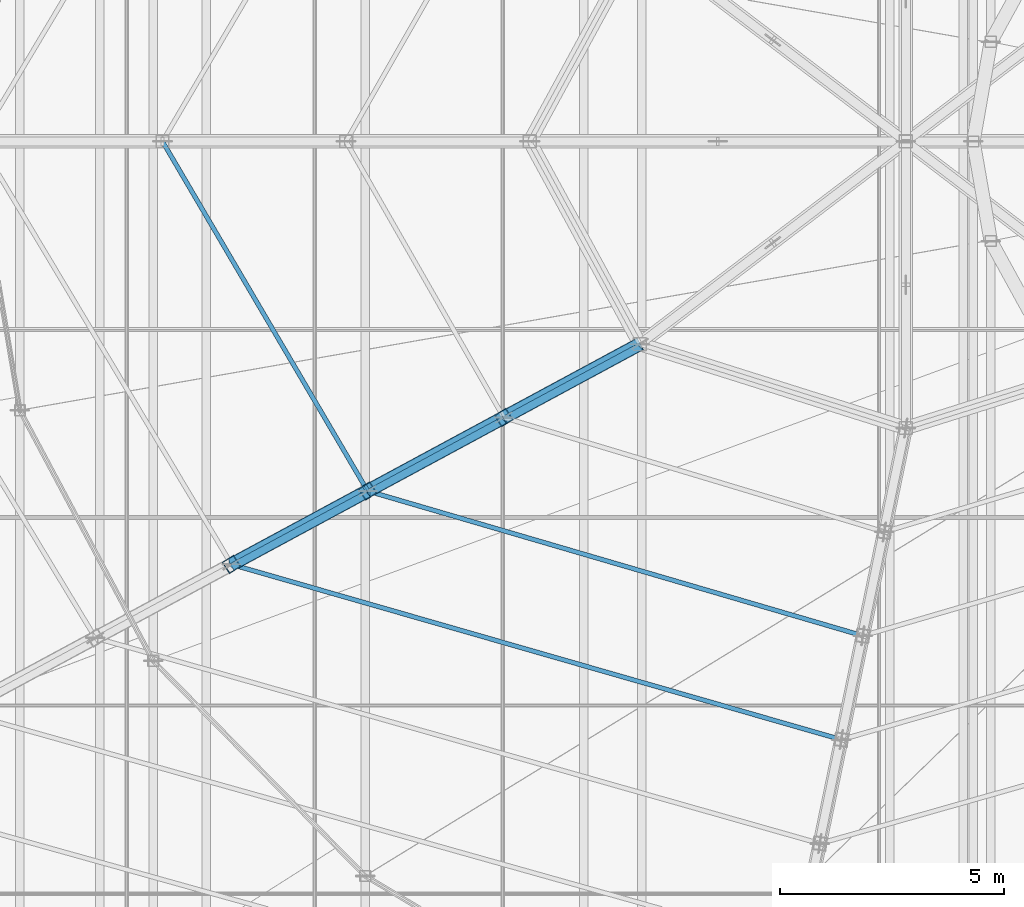
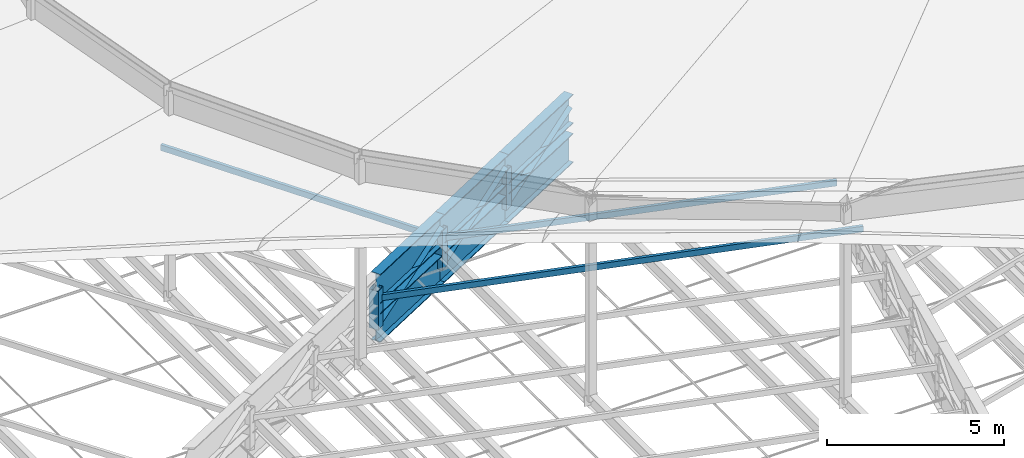
# One storey, part 51 of 184: 9 members, 6 beams.
"""IFC4 building model written with IfcOpenShell, lengths in metres."""

from ifc_helpers import new_model, si_unit, direction, frame, origin, origin_2d, place, context, subcontext, project, spatial, hollow_rectangle, i_section, extrude, material, material_profile, profile_set, type_object, element, save


model = new_model("IFC4")

# Units and contexts
model_context = context("Model", 3, precision=1e-05, world=origin(), true_north=direction((0.0, 1.0)))
body_context = subcontext(model_context, "Body", "Model", "MODEL_VIEW")
ifc_project = project(units=[si_unit("LENGTHUNIT", "METRE"), si_unit("AREAUNIT", "SQUARE_METRE"), si_unit("VOLUMEUNIT", "CUBIC_METRE"), si_unit("PLANEANGLEUNIT", "RADIAN"), si_unit("MASSUNIT", "GRAM", prefix="KILO")], contexts=[model_context])

# Site, building, storey
site_placement = place(None, origin())
site = spatial("IfcSite", under=ifc_project, at=site_placement, CompositionType="ELEMENT")
building_placement = place(site_placement, origin())
building = spatial("IfcBuilding", under=site, at=building_placement, Name="Kalgoora Escarpment Arena", CompositionType="ELEMENT")
storey_placement = place(building_placement, frame((0.0, 0.0, 27.60009765625)))
storey = spatial("IfcBuildingStorey", under=building, at=storey_placement, Name="Roof Level", CompositionType="ELEMENT", Elevation=27.60009765625)

# Beams
ifc_material_1 = material(Name="Structural steel Grade 350 (350 MPa)", Category="steel")
ifc_material_profile_1 = material_profile(ifc_material_1, i_section(OverallWidth=0.300048828125, OverallDepth=1.010009765625, WebThickness=0.01611328125, FlangeThickness=0.030029296875, at=origin_2d()))
ifc_profile_set_1 = profile_set([ifc_material_profile_1], Name="Structural steel Grade 350 (350 MPa)")
beam_type = type_object("IfcBeamType", Name="BM-TRUSS-CHORD", PredefinedType="USERDEFINED", material=ifc_profile_set_1)
for number, where, z_axis, x_axis, name in (
    (1, (82.130615234375, 54.54736328125, -1.614990234375), (0.880021305462, 0.474932133107, 0.001403878608), (-0.474932601123, 0.88002217267, 0.0), "Radial ROOF TRUSS spine 6 bottom chord 9"),
    (2, (82.130615234375, 54.54736328125, -0.280029296875), (0.880018528248, 0.474930634293, 0.002877942064), (-0.474932601123, 0.88002217267, 0.0), "Radial ROOF TRUSS spine 6 top chord 9"),
):
    element("IfcBeam", number, at=place(storey_placement, frame(where, z_axis=z_axis, x_axis=x_axis)), inside=storey, type_object=beam_type, Name=name, ObjectType="GIRDER", PredefinedType="USERDEFINED", context=body_context, shape_type="SweptSolid", body=[
        extrude(i_section(OverallWidth=0.300048828125, OverallDepth=1.010009765625, WebThickness=0.01611328125, FlangeThickness=0.030029296875, at=origin_2d()), origin(), (0.0, 0.0, 1.0), 3.47802734375),
    ])
for number, where, z_axis, x_axis, name in (
    (3, (85.170166015625, 56.187744140625, -1.610107421875), (0.880037048235, 0.474902749111, 0.001473981338), (-0.474903265004, 0.88003800423, 0.0), "Radial ROOF TRUSS spine 6 bottom chord 10"),
    (4, (85.170166015625, 56.187744140625, -0.27001953125), (0.880034360193, 0.474901298538, 0.002877764298), (-0.474903265004, 0.88003800423, 0.0), "Radial ROOF TRUSS spine 6 top chord 10"),
    (5, (88.2099609375, 57.828369140625, -1.60498046875), (0.880037137114, 0.474902797074, 0.001403791892), (-0.474903265004, 0.88003800423, 0.0), "Radial ROOF TRUSS spine 6 bottom chord 11"),
    (6, (88.2099609375, 57.828369140625, -0.260009765625), (0.880034360193, 0.474901298538, 0.002877764298), (-0.474903265004, 0.88003800423, 0.0), "Radial ROOF TRUSS spine 6 top chord 11"),
):
    element("IfcBeam", number, at=place(storey_placement, frame(where, z_axis=z_axis, x_axis=x_axis)), inside=storey, type_object=beam_type, Name=name, ObjectType="GIRDER", PredefinedType="USERDEFINED", context=body_context, shape_type="SweptSolid", body=[
        extrude(i_section(OverallWidth=0.300048828125, OverallDepth=1.010009765625, WebThickness=0.01611328125, FlangeThickness=0.030029296875, at=origin_2d()), origin(), (0.0, 0.0, 1.0), 3.478271484375),
    ])

# Members
ifc_material_2 = material(Name="Structural steel C350 (350 MPa)", Category="steel")
ifc_material_profile_2 = material_profile(ifc_material_2, hollow_rectangle(XDim=0.10009765625, YDim=0.199951171875, WallThickness=0.009033203125, at=origin_2d()))
ifc_profile_set_2 = profile_set([ifc_material_profile_2], Name="Structural steel C350 (350 MPa)")
member_type_1 = type_object("IfcMemberType", Name="MEM-PURLIN-RHS", PredefinedType="PURLIN", material=ifc_profile_set_2)
member_1_placement = place(storey_placement, frame((82.14111328125, 54.552978515625, -0.630126953125), z_axis=(0.961113271866, -0.27615444708, 0.0), x_axis=(0.27615444708, 0.961113271866, 0.0)))
element("IfcMember", 7, at=member_1_placement, inside=storey, type_object=member_type_1, Name="Roof circumferential purlin ring 8 sector 6", PredefinedType="PURLIN", context=body_context, shape_type="SweptSolid", body=[
    extrude(hollow_rectangle(XDim=0.10009765625, YDim=0.199951171875, WallThickness=0.009033203125, at=origin_2d()), origin(), (0.0, 0.0, 1.0), 14.169921875),
])
member_2_placement = place(storey_placement, frame((80.60009765625, 64.0, -0.6201171875), z_axis=(0.506101565058, -0.862473887051, 0.0), x_axis=(0.862473887051, 0.506101565058, 0.0)))
element("IfcMember", 8, at=member_2_placement, inside=storey, type_object=member_type_1, Name="Roof circumferential purlin ring 9 sector 5", PredefinedType="PURLIN", context=body_context, shape_type="SweptSolid", body=[
    extrude(hollow_rectangle(XDim=0.10009765625, YDim=0.199951171875, WallThickness=0.009033203125, at=origin_2d()), origin(), (0.0, 0.0, 1.0), 9.05126953125),
])
member_3_placement = place(storey_placement, frame((85.180908203125, 56.193603515625, -0.6201171875), z_axis=(0.959811354647, -0.28064597537, 0.0), x_axis=(0.28064597537, 0.959811354647, 0.0)))
element("IfcMember", 9, at=member_3_placement, inside=storey, type_object=member_type_1, Name="Roof circumferential purlin ring 9 sector 6", PredefinedType="PURLIN", context=body_context, shape_type="SweptSolid", body=[
    extrude(hollow_rectangle(XDim=0.10009765625, YDim=0.199951171875, WallThickness=0.009033203125, at=origin_2d()), origin(), (0.0, 0.0, 1.0), 11.522216796875),
])
ifc_material_3 = material(Name="Structural steel C350 (350 MPa)", Category="steel")
ifc_material_profile_3 = material_profile(ifc_material_3, hollow_rectangle(XDim=0.199951171875, YDim=0.199951171875, WallThickness=0.009033203125, at=origin_2d()))
ifc_profile_set_3 = profile_set([ifc_material_profile_3], Name="Structural steel C350 (350 MPa)")
member_type_2 = type_object("IfcMemberType", Name="MEM-TRUSS-DIAG", PredefinedType="BRACE", material=ifc_profile_set_3)
member_4_placement = place(storey_placement, frame((82.14111328125, 54.552978515625, -1.614990234375), z_axis=(0.820041647428, 0.44258933987, 0.362831052581), x_axis=(-0.572169504424, 0.647763857228, 0.503014953532)))
element("IfcMember", 10, at=member_4_placement, inside=storey, type_object=member_type_2, Name="Radial ROOF TRUSS spine 6 web diagonal 9", PredefinedType="BRACE", context=body_context, shape_type="SweptSolid", body=[
    extrude(hollow_rectangle(XDim=0.199951171875, YDim=0.199951171875, WallThickness=0.009033203125, at=origin_2d()), origin(), (0.0, 0.0, 1.0), 3.706787109375),
])
member_5_placement = place(storey_placement, frame((85.180908203125, 56.193603515625, -1.610107421875), z_axis=(0.819653520554, 0.442314031371, 0.364041761197), x_axis=(-0.572704353941, 0.647489078047, 0.50275999919)))
element("IfcMember", 11, at=member_5_placement, inside=storey, type_object=member_type_2, Name="Radial ROOF TRUSS spine 6 web diagonal 10", PredefinedType="BRACE", context=body_context, shape_type="SweptSolid", body=[
    extrude(hollow_rectangle(XDim=0.199951171875, YDim=0.199951171875, WallThickness=0.009033203125, at=origin_2d()), origin(), (0.0, 0.0, 1.0), 3.708740234375),
])
member_6_placement = place(storey_placement, frame((88.220703125, 57.833984375, -1.60498046875), z_axis=(0.819214761628, 0.442178570131, 0.365192122653), x_axis=(-0.573312806704, 0.647139278315, 0.50251684562)))
element("IfcMember", 12, at=member_6_placement, inside=storey, type_object=member_type_2, Name="Radial ROOF TRUSS spine 6 web diagonal 11", PredefinedType="BRACE", context=body_context, shape_type="SweptSolid", body=[
    extrude(hollow_rectangle(XDim=0.199951171875, YDim=0.199951171875, WallThickness=0.009033203125, at=origin_2d()), origin(), (0.0, 0.0, 1.0), 3.710205078125),
])
ifc_material_4 = material(Name="Structural steel C450 (450 MPa)", Category="steel")
ifc_material_profile_4 = material_profile(ifc_material_4, hollow_rectangle(XDim=0.300048828125, YDim=0.300048828125, WallThickness=0.012451171875, at=origin_2d()))
ifc_profile_set_4 = profile_set([ifc_material_profile_4], Name="Structural steel C450 (450 MPa)")
member_type_3 = type_object("IfcMemberType", Name="MEM-TRUSS-POST", PredefinedType="POST", material=ifc_profile_set_4)
member_7_placement = place(storey_placement, frame((82.14111328125, 54.552978515625, -1.614990234375), z_axis=(0.0, 0.0, 1.0), x_axis=(0.84179353575, 0.539799632428, 0.0)))
element("IfcMember", 13, at=member_7_placement, inside=storey, type_object=member_type_3, Name="Radial ROOF TRUSS spine 6 post 8", PredefinedType="POST", context=body_context, shape_type="SweptSolid", body=[
    extrude(hollow_rectangle(XDim=0.300048828125, YDim=0.300048828125, WallThickness=0.012451171875, at=origin_2d()), origin(), (0.0, 0.0, 1.0), 1.3349609375),
])
member_8_placement = place(storey_placement, frame((85.180908203125, 56.193603515625, -1.610107421875), z_axis=(0.0, 0.0, 1.0), x_axis=(0.84179353575, 0.539799632428, 0.0)))
element("IfcMember", 14, at=member_8_placement, inside=storey, type_object=member_type_3, Name="Radial ROOF TRUSS spine 6 post 9", PredefinedType="POST", context=body_context, shape_type="SweptSolid", body=[
    extrude(hollow_rectangle(XDim=0.300048828125, YDim=0.300048828125, WallThickness=0.012451171875, at=origin_2d()), origin(), (0.0, 0.0, 1.0), 1.340087890625),
])
member_9_placement = place(storey_placement, frame((88.220703125, 57.833984375, -1.60498046875), z_axis=(0.0, 0.0, 1.0), x_axis=(0.84179353575, 0.539799632428, 0.0)))
element("IfcMember", 15, at=member_9_placement, inside=storey, type_object=member_type_3, Name="Radial ROOF TRUSS spine 6 post 10", PredefinedType="POST", context=body_context, shape_type="SweptSolid", body=[
    extrude(hollow_rectangle(XDim=0.300048828125, YDim=0.300048828125, WallThickness=0.012451171875, at=origin_2d()), origin(), (0.0, 0.0, 1.0), 1.344970703125),
])

save(model, "model.ifc")
